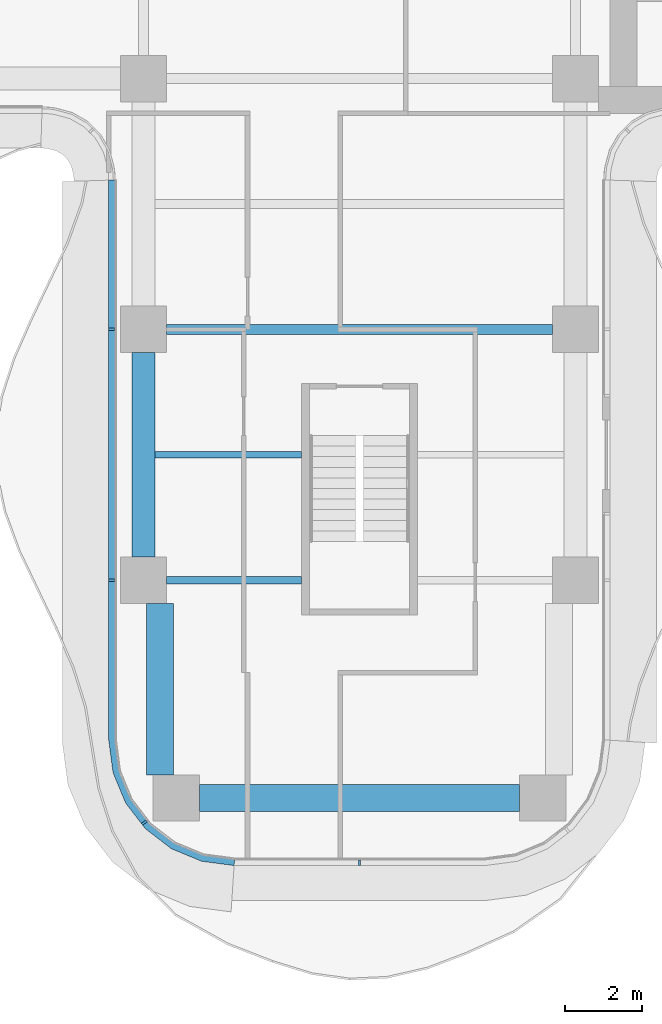
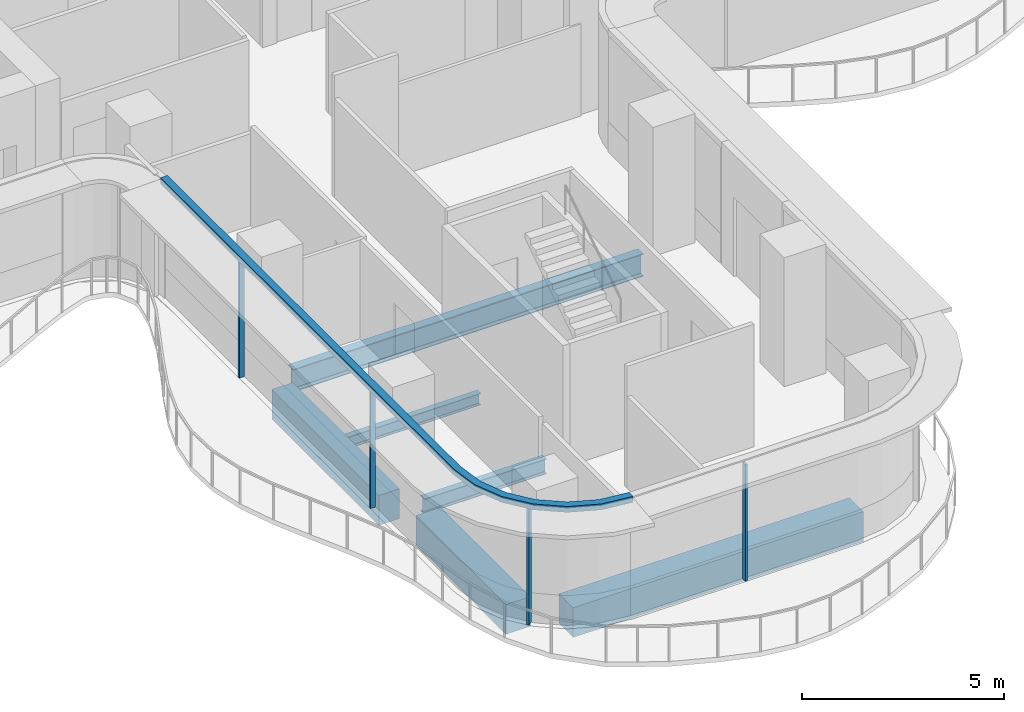
# One storey, part 2 of 17: 6 beams, 5 members, 2 elements without a shape of their own.
"""IFC4 building model written with IfcOpenShell, lengths in metres."""

import ifcopenshell
import ifcopenshell.guid

model = None  # the IFC model being written
_history = None  # IfcOwnerHistory: only IFC2X3 demands one
_inside = {}  # id of a spatial element -> (the spatial element, [elements in it])
_under = {}  # id of a project, library or spatial element -> (it, [spatial elements below it])
_declared = {}  # id of a project -> (the project, [libraries it declares])
_typed = {}  # id of a type object -> (the type object, [elements of that type])
_made_of = {}  # id of a material, layer set ... -> (it, [elements and type objects made of it])


def new_model(schema):
    """Start an empty IFC model of exactly this schema.

    Asked for "IFC4X3", IfcOpenShell would pick the latest addendum, in which some entities
    have other attributes; the version numbers below select the first issue.
    IFC2X3 requires an IfcOwnerHistory on every rooted entity: one is made here for all.
    """
    global model, _history
    if schema == "IFC4X3":
        model = ifcopenshell.file(schema_version=(4, 3, 0, 0))
    else:
        model = ifcopenshell.file(schema=schema)
    _inside.clear()
    _under.clear()
    _declared.clear()
    _typed.clear()
    _made_of.clear()
    _history = None
    if model.schema == "IFC2X3":
        org = make("IfcOrganization", Name="unknown")
        user = make(
            "IfcPersonAndOrganization",
            ThePerson=make("IfcPerson", FamilyName="unknown"),
            TheOrganization=org,
        )
        app = make(
            "IfcApplication",
            ApplicationDeveloper=org,
            Version="unknown",
            ApplicationFullName="unknown",
            ApplicationIdentifier="unknown",
        )
        _history = make(
            "IfcOwnerHistory",
            OwningUser=user,
            OwningApplication=app,
            ChangeAction="ADDED",
            CreationDate=0,
        )
    return model


def make(cls, **values):
    """One entity of the class cls with the attributes given. An attribute that is None is left unset."""
    return model.create_entity(
        cls, **{name: value for name, value in values.items() if value is not None}
    )


def rooted(cls, **values):
    """An entity with a GlobalId (a new one), such as an element, a storey or a relation."""
    return make(cls, GlobalId=ifcopenshell.guid.new(), OwnerHistory=_history, **values)


def si_unit(unit_type, name, prefix=None):
    """IfcSIUnit, for example si_unit("LENGTHUNIT", "METRE", prefix="MILLI")."""
    return make("IfcSIUnit", UnitType=unit_type, Prefix=prefix, Name=name)


def assignment(units):
    """IfcUnitAssignment: the units of a project."""
    return None if units is None else make("IfcUnitAssignment", Units=units)


def point(xyz):
    """IfcCartesianPoint."""
    return None if xyz is None else make("IfcCartesianPoint", Coordinates=xyz)


def direction(xyz):
    """IfcDirection."""
    return None if xyz is None else make("IfcDirection", DirectionRatios=xyz)


def frame(location, z_axis=None, x_axis=None):
    """IfcAxis2Placement3D, a coordinate frame: its origin and axes. An axis left out is left unset."""
    return make(
        "IfcAxis2Placement3D",
        Location=point(location),
        Axis=direction(z_axis),
        RefDirection=direction(x_axis),
    )


def frame_2d(location, x_axis=None):
    """IfcAxis2Placement2D, a coordinate frame in the plane: its origin and x axis."""
    return make(
        "IfcAxis2Placement2D", Location=point(location), RefDirection=direction(x_axis)
    )


def origin():
    """The frame at (0, 0, 0) with its axes left unset."""
    return frame((0.0, 0.0, 0.0))


def origin_2d():
    """The frame at (0, 0) in the plane with its x axis left unset."""
    return frame_2d((0.0, 0.0))


def place(relative_to, where):
    """IfcLocalPlacement: puts the frame where relative to a parent placement (None: the world)."""
    return make(
        "IfcLocalPlacement", PlacementRelTo=relative_to, RelativePlacement=where
    )


def context(
    kind, dimensions, precision=None, world=None, true_north=None, identifier=None
):
    """IfcGeometricRepresentationContext, for example the 3D "Model" context."""
    return make(
        "IfcGeometricRepresentationContext",
        ContextIdentifier=identifier,
        ContextType=kind,
        CoordinateSpaceDimension=dimensions,
        Precision=precision,
        WorldCoordinateSystem=world,
        TrueNorth=true_north,
    )


def subcontext(parent, identifier, kind, view, scale=None):
    """IfcGeometricRepresentationSubContext, for example "Body" below "Model"."""
    return make(
        "IfcGeometricRepresentationSubContext",
        ContextIdentifier=identifier,
        ContextType=kind,
        ParentContext=parent,
        TargetScale=scale,
        TargetView=view,
    )


def project(units=None, contexts=None):
    """IfcProject with its units and contexts."""
    return rooted(
        "IfcProject",
        Name="project",
        RepresentationContexts=contexts,
        UnitsInContext=assignment(units),
    )


def spatial(cls, under=None, at=None, **own):
    """A site, building, storey or space (cls), placed at a placement, below another one or the project."""
    s = rooted(cls, ObjectPlacement=at, **own)
    if under is not None:
        _under.setdefault(under.id(), (under, []))[1].append(s)
    return s


def polyline(points):
    """IfcPolyline through the points."""
    return make("IfcPolyline", Points=[point(p) for p in points])


def profile(cls, at=None, kind="AREA", **sizes):
    """A parametric profile (cls). Its sizes go by their IFC names, for example OverallWidth=200.0."""
    return make(cls, ProfileType=kind, Position=at, **sizes)


def rectangle(**sizes):
    """IfcRectangleProfileDef."""
    return profile("IfcRectangleProfileDef", **sizes)


def i_section(**sizes):
    """IfcIShapeProfileDef."""
    return profile("IfcIShapeProfileDef", **sizes)


def outline(outer, holes=None, kind="AREA"):
    """IfcArbitraryClosedProfileDef: a profile drawn as a closed curve; with holes, ...WithVoids."""
    if holes is None:
        return make("IfcArbitraryClosedProfileDef", ProfileType=kind, OuterCurve=outer)
    return make(
        "IfcArbitraryProfileDefWithVoids",
        ProfileType=kind,
        OuterCurve=outer,
        InnerCurves=holes,
    )


def extrude(swept, where, along, depth):
    """IfcExtrudedAreaSolid: the profile swept, set in the frame where, extruded along a direction by depth."""
    return make(
        "IfcExtrudedAreaSolid",
        SweptArea=swept,
        Position=where,
        ExtrudedDirection=direction(along),
        Depth=depth,
    )


def shape(context_of_items, identifier, shape_type, items):
    """IfcShapeRepresentation: the items that make up one representation, for example the "Body"."""
    return make(
        "IfcShapeRepresentation",
        ContextOfItems=context_of_items,
        RepresentationIdentifier=identifier,
        RepresentationType=shape_type,
        Items=items,
    )


def source(mapping_origin, context_of_items, identifier, shape_type, items):
    """IfcRepresentationMap: a shape defined once, which mapped items show again and again."""
    return make(
        "IfcRepresentationMap",
        MappingOrigin=mapping_origin,
        MappedRepresentation=shape(context_of_items, identifier, shape_type, items),
    )


def transform(
    local_origin,
    x_axis=None,
    y_axis=None,
    z_axis=None,
    scale=None,
    scale2=None,
    scale3=None,
    uniform=True,
):
    """IfcCartesianTransformationOperator3D, or its non-uniform kind. x_axis, y_axis, z_axis: its Axis1, 2, 3."""
    if uniform:
        return make(
            "IfcCartesianTransformationOperator3D",
            Axis1=direction(x_axis),
            Axis2=direction(y_axis),
            LocalOrigin=point(local_origin),
            Scale=scale,
            Axis3=direction(z_axis),
        )
    return make(
        "IfcCartesianTransformationOperator3DnonUniform",
        Axis1=direction(x_axis),
        Axis2=direction(y_axis),
        LocalOrigin=point(local_origin),
        Scale=scale,
        Axis3=direction(z_axis),
        Scale2=scale2,
        Scale3=scale3,
    )


def mapped(mapping_source, mapping_target):
    """IfcMappedItem: shows the shape of a source again, moved by a transform."""
    return make(
        "IfcMappedItem", MappingSource=mapping_source, MappingTarget=mapping_target
    )


def material(Name=None, Category=None):
    """IfcMaterial."""
    return make("IfcMaterial", Name=Name, Category=Category)


def layer(
    of_material, thickness, ventilated=None, Name=None, Category=None, Priority=None
):
    """IfcMaterialLayer: one layer of a wall or slab, of a material (None: an air gap)."""
    return make(
        "IfcMaterialLayer",
        Material=of_material,
        LayerThickness=thickness,
        IsVentilated=ventilated,
        Name=Name,
        Category=Category,
        Priority=Priority,
    )


def layer_set(layers, Name=None):
    """IfcMaterialLayerSet."""
    return make("IfcMaterialLayerSet", MaterialLayers=layers, LayerSetName=Name)


def material_profile(
    of_material, cross_section, Name=None, Category=None, Priority=None
):
    """IfcMaterialProfile: a cross section and its material."""
    return make(
        "IfcMaterialProfile",
        Name=Name,
        Material=of_material,
        Profile=cross_section,
        Priority=Priority,
        Category=Category,
    )


def profile_set(profiles, Name=None, composite=None):
    """IfcMaterialProfileSet."""
    return make(
        "IfcMaterialProfileSet",
        Name=Name,
        MaterialProfiles=profiles,
        CompositeProfile=composite,
    )


def made_of(thing, what):
    """Note that an element or type object is made of a material, layer set ...; save() writes the relation."""
    if what is not None:
        _made_of.setdefault(what.id(), (what, []))[1].append(thing)
    return thing


def type_object(cls, material=None, **own):
    """A type object (cls), such as IfcWallType, which elements share."""
    return made_of(rooted(cls, **own), material)


def element(
    cls,
    number,
    at=None,
    inside=None,
    cuts=None,
    type_object=None,
    material=None,
    context=None,
    identifier="Body",
    shape_type=None,
    held_by="IfcProductDefinitionShape",
    body=None,
    shapes=None,
    **own,
):
    """One element of the class cls, such as IfcWall. Its Tag is "e" and its number.

    at: its placement. inside: the storey or other place that contains it. cuts: it is an
    opening in that element (IfcRelVoidsElement). A single representation is given by context,
    identifier, shape_type and body (its items); several are given by shapes. held_by: the class
    of the entity that holds the representations. save() writes the other relations.
    """
    e = rooted(cls, Tag="e%d" % number, ObjectPlacement=at, **own)
    if body is not None:
        shapes = [shape(context, identifier, shape_type, body)]
    if shapes is not None:
        e.Representation = make(held_by, Representations=shapes)
    if inside is not None:
        _inside.setdefault(inside.id(), (inside, []))[1].append(e)
    if cuts is not None:
        rooted(
            "IfcRelVoidsElement", RelatingBuildingElement=cuts, RelatedOpeningElement=e
        )
    if type_object is not None:
        _typed.setdefault(type_object.id(), (type_object, []))[1].append(e)
    return made_of(e, material)


def aggregate(whole, parts):
    """IfcRelAggregates: a whole, such as a stair, and the parts it consists of."""
    return rooted("IfcRelAggregates", RelatingObject=whole, RelatedObjects=parts)


def save(model, path):
    """Write the relations noted so far, then the file.

    IfcRelAggregates (storeys below a building ...), IfcRelContainedInSpatialStructure (elements
    in a storey), IfcRelDefinesByType, IfcRelAssociatesMaterial and IfcRelDeclares: one each for
    every whole, place, type object, material and project.
    """
    for whole, parts in _under.values():
        aggregate(whole, parts)
    for where, things in _inside.values():
        rooted(
            "IfcRelContainedInSpatialStructure",
            RelatedElements=things,
            RelatingStructure=where,
        )
    for kind, things in _typed.values():
        rooted("IfcRelDefinesByType", RelatedObjects=things, RelatingType=kind)
    for what, things in _made_of.values():
        rooted("IfcRelAssociatesMaterial", RelatedObjects=things, RelatingMaterial=what)
    for by, libraries in _declared.values():
        rooted("IfcRelDeclares", RelatingContext=by, RelatedDefinitions=libraries)
    model.write(path)


model = new_model("IFC4")

# Units and contexts
model_context = context("Model", 3, precision=1e-05, world=origin(), true_north=direction((0.0, 1.0)))
body_context = subcontext(model_context, "Body", "Model", "MODEL_VIEW")
ifc_project = project(units=[si_unit("LENGTHUNIT", "METRE"), si_unit("AREAUNIT", "SQUARE_METRE"), si_unit("VOLUMEUNIT", "CUBIC_METRE"), si_unit("PLANEANGLEUNIT", "RADIAN"), si_unit("MASSUNIT", "GRAM", prefix="KILO")], contexts=[model_context])

# Site, building, storey
site_placement = place(None, origin())
site = spatial("IfcSite", under=ifc_project, at=site_placement, CompositionType="ELEMENT")
building_placement = place(site_placement, origin())
building = spatial("IfcBuilding", under=site, at=building_placement, Name="Trellis Farm Tower", CompositionType="ELEMENT")
storey_placement = place(building_placement, frame((0.0, 0.0, 162.0)))
storey = spatial("IfcBuildingStorey", under=building, at=storey_placement, Name="L34", CompositionType="ELEMENT", Elevation=162.0)

# Beams
ifc_material_1 = material(Name="Steel S355", Category="steel")
ifc_material_profile_1 = material_profile(ifc_material_1, i_section(OverallWidth=0.1904296875, OverallDepth=0.45703125, WebThickness=0.009033203125, FlangeThickness=0.014404296875, FilletRadius=0.01025390625, at=origin_2d()), Name="UB 457x191x74")
ifc_profile_set_1 = profile_set([ifc_material_profile_1], Name="Steel S355")
beam_type_1 = type_object("IfcBeamType", Name="UB 457x191x74", PredefinedType="BEAM", material=ifc_profile_set_1)
shared_shape_1 = source(origin(), body_context, "Body", "SweptSolid", [
    extrude(i_section(OverallWidth=0.1904296875, OverallDepth=0.45703125, WebThickness=0.009033203125, FlangeThickness=0.014404296875, FilletRadius=0.01025390625, at=origin_2d()), origin(), (0.0, 0.0, 1.0), 3.5),
])
beam_1_placement = place(storey_placement, frame((-5.0, -18.60009765625, -0.428466796875), z_axis=(1.0, 0.0, 0.0), x_axis=(0.0, 1.0, 0.0)))
element("IfcBeam", 1, at=beam_1_placement, inside=storey, type_object=beam_type_1, Name="Girder", PredefinedType="BEAM", context=body_context, shape_type="MappedRepresentation", body=[
    mapped(shared_shape_1, transform((0.0, 0.0, 0.0))),
])
ifc_material_2 = material(Name="Concrete C60/75", Category="concrete")
ifc_material_profile_2 = material_profile(ifc_material_2, rectangle(XDim=0.60009765625, YDim=0.89990234375, at=origin_2d()), Name="RC spandrel beam 600x900 C60/75")
ifc_profile_set_2 = profile_set([ifc_material_profile_2], Name="Concrete C60/75")
beam_type_2 = type_object("IfcBeamType", Name="RC spandrel beam 600x900 C60/75", PredefinedType="SPANDREL", material=ifc_profile_set_2)
shared_shape_2 = source(origin(), body_context, "Body", "SweptSolid", [
    extrude(rectangle(XDim=0.60009765625, YDim=0.89990234375, at=origin_2d()), origin(), (0.0, 0.0, 1.0), 5.300048828125),
])
beam_2_placement = place(storey_placement, frame((-5.60009765625, -18.0, -0.64990234375), z_axis=(0.0, 1.0, 0.0), x_axis=(-1.0, 0.0, 0.0)))
element("IfcBeam", 2, at=beam_2_placement, inside=storey, type_object=beam_type_2, Name="Girder", PredefinedType="SPANDREL", context=body_context, shape_type="MappedRepresentation", body=[
    mapped(shared_shape_2, transform((0.0, 0.0, 0.0))),
])
ifc_material_profile_3 = material_profile(ifc_material_1, i_section(OverallWidth=0.253662109375, OverallDepth=0.68359375, WebThickness=0.012451171875, FlangeThickness=0.021728515625, FilletRadius=0.01513671875, at=origin_2d()), Name="UB 686x254x140")
ifc_profile_set_3 = profile_set([ifc_material_profile_3], Name="Steel S355")
beam_type_3 = type_object("IfcBeamType", Name="UB 686x254x140", PredefinedType="BEAM", material=ifc_profile_set_3)
shared_shape_3 = source(origin(), body_context, "Body", "SweptSolid", [
    extrude(i_section(OverallWidth=0.253662109375, OverallDepth=0.68359375, WebThickness=0.012451171875, FlangeThickness=0.021728515625, FilletRadius=0.01513671875, at=origin_2d()), origin(), (0.0, 0.0, 1.0), 10.0),
])
beam_3_placement = place(storey_placement, frame((-5.0, -12.10009765625, -0.541748046875), z_axis=(1.0, 0.0, 0.0), x_axis=(0.0, 1.0, 0.0)))
element("IfcBeam", 3, at=beam_3_placement, inside=storey, type_object=beam_type_3, Name="Girder", PredefinedType="BEAM", context=body_context, shape_type="MappedRepresentation", body=[
    mapped(shared_shape_3, transform((0.0, 0.0, 0.0))),
])
ifc_material_profile_4 = material_profile(ifc_material_2, rectangle(XDim=0.699951171875, YDim=0.89990234375, at=origin_2d()), Name="RC spandrel beam 700x900 C60/75")
ifc_profile_set_4 = profile_set([ifc_material_profile_4], Name="Concrete C60/75")
beam_type_4 = type_object("IfcBeamType", Name="RC spandrel beam 700x900 C60/75", PredefinedType="SPANDREL", material=ifc_profile_set_4)
shared_shape_4 = source(origin(), body_context, "Body", "SweptSolid", [
    extrude(rectangle(XDim=0.699951171875, YDim=0.89990234375, at=origin_2d()), origin(), (0.0, 0.0, 1.0), 8.2998046875),
])
beam_4_placement = place(storey_placement, frame((-4.14990234375, -24.25, -0.64990234375), z_axis=(1.0, 0.0, 0.0), x_axis=(0.0, 1.0, 0.0)))
element("IfcBeam", 4, at=beam_4_placement, inside=storey, type_object=beam_type_4, Name="Girder", PredefinedType="SPANDREL", context=body_context, shape_type="MappedRepresentation", body=[
    mapped(shared_shape_4, transform((0.0, 0.0, 0.0))),
])
shared_shape_5 = source(origin(), body_context, "Body", "SweptSolid", [
    extrude(rectangle(XDim=0.699951171875, YDim=0.89990234375, at=origin_2d()), origin(), (0.0, 0.0, 1.0), 4.449951171875),
])
beam_5_placement = place(storey_placement, frame((-5.175048828125, -23.64990234375, -0.64990234375), z_axis=(0.0, 1.0, 0.0), x_axis=(-1.0, 0.0, 0.0)))
element("IfcBeam", 5, at=beam_5_placement, inside=storey, type_object=beam_type_4, Name="Girder", PredefinedType="SPANDREL", context=body_context, shape_type="MappedRepresentation", body=[
    mapped(shared_shape_5, transform((0.0, 0.0, 0.0))),
])
ifc_material_profile_5 = material_profile(ifc_material_1, i_section(OverallWidth=0.17138671875, OverallDepth=0.35498046875, WebThickness=0.00732421875, FlangeThickness=0.011474609375, FilletRadius=0.01025390625, at=origin_2d()), Name="UB 356x171x51")
ifc_profile_set_5 = profile_set([ifc_material_profile_5], Name="Steel S355")
beam_type_5 = type_object("IfcBeamType", Name="UB 356x171x51 joist", PredefinedType="JOIST", material=ifc_profile_set_5)
shared_shape_6 = source(origin(), body_context, "Body", "SweptSolid", [
    extrude(i_section(OverallWidth=0.17138671875, OverallDepth=0.35498046875, WebThickness=0.00732421875, FlangeThickness=0.011474609375, FilletRadius=0.01025390625, at=origin_2d()), origin(), (0.0, 0.0, 1.0), 3.800048828125),
])
beam_6_placement = place(storey_placement, frame((-5.300048828125, -15.35009765625, -0.37744140625), z_axis=(1.0, 0.0, 0.0), x_axis=(0.0, 1.0, 0.0)))
element("IfcBeam", 6, at=beam_6_placement, inside=storey, type_object=beam_type_5, Name="Floor beam", PredefinedType="JOIST", context=body_context, shape_type="MappedRepresentation", body=[
    mapped(shared_shape_6, transform((0.0, 0.0, 0.0))),
])

# Curtain wall, members
ifc_material_3 = material(Name="Aluminium and glass curtain wall", Category="aluminium")
ifc_layer_1 = layer(ifc_material_3, 0.18994140625)
ifc_layer_set_1 = layer_set([ifc_layer_1], Name="RIBBON CURTAIN WALL CW1")
curtain_wall_type = type_object("IfcCurtainWallType", Name="RIBBON CURTAIN WALL CW1", PredefinedType="NOTDEFINED", material=ifc_layer_set_1)
placement = place(storey_placement, origin())
curtain_wall_1 = element("IfcCurtainWall", 7, at=placement, inside=storey, type_object=curtain_wall_type, Name="CW1 002", PredefinedType="NOTDEFINED")
ifc_material_4 = material(Name="Aluminium extrusion 6063-T6", Category="aluminium")
ifc_layer_2 = layer(ifc_material_4, 0.199951171875)
ifc_layer_set_2 = layer_set([ifc_layer_2], Name="Aluminium extrusion 6063-T6")
member_type_1 = type_object("IfcMemberType", Name="CW1 TRANSOM 200x180", PredefinedType="USERDEFINED", material=ifc_layer_set_2)
shared_shape_7 = source(origin(), body_context, "Body", "SweptSolid", [
    extrude(outline(polyline([(-6.5, -8.2314453125), (-6.5, -22.75), (-6.38916015625, -23.591064453125), (-6.064697265625, -24.375), (-5.548095703125, -25.048095703125), (-4.875, -25.564697265625), (-4.091064453125, -25.88916015625), (-3.25, -26.0), (-3.23681640625, -25.800048828125), (-4.0390625, -25.6943359375), (-4.774169921875, -25.389892578125), (-5.405517578125, -24.905517578125), (-5.889892578125, -24.274169921875), (-6.1943359375, -23.5390625), (-6.300048828125, -22.73681640625), (-6.300048828125, -8.224853515625), (-6.5, -8.2314453125)])), origin(), (0.0, 0.0, 1.0), 0.179931640625),
])
member_1_placement = place(storey_placement, frame((0.0, 0.0, 3.52001953125)))
member_1 = element("IfcMember", 8, at=member_1_placement, type_object=member_type_1, Name="TR1 002", ObjectType="TRANSOM", PredefinedType="USERDEFINED", context=body_context, shape_type="MappedRepresentation", body=[
    mapped(shared_shape_7, transform((0.0, 0.0, 0.0))),
])
ifc_material_profile_6 = material_profile(ifc_material_4, rectangle(XDim=0.06005859375, YDim=0.14990234375, at=origin_2d()), Name="MULLION 60x150")
ifc_profile_set_6 = profile_set([ifc_material_profile_6], Name="Aluminium extrusion 6063-T6")
member_type_2 = type_object("IfcMemberType", Name="CW1 MULLION 60x150", PredefinedType="MULLION", material=ifc_profile_set_6)
shared_shape_8 = source(origin(), body_context, "Body", "SweptSolid", [
    extrude(rectangle(XDim=0.06005859375, YDim=0.14990234375, at=origin_2d()), origin(), (0.0, 0.0, 1.0), 3.52001953125),
])
member_2_placement = place(storey_placement, frame((-6.425048828125, -12.10009765625, 0.0), z_axis=(0.0, 0.0, 1.0), x_axis=(0.0, -1.0, 0.0)))
member_2 = element("IfcMember", 9, at=member_2_placement, type_object=member_type_2, Name="MU1 002-01", PredefinedType="MULLION", context=body_context, shape_type="MappedRepresentation", body=[
    mapped(shared_shape_8, transform((0.0, 0.0, 0.0))),
])
member_3_placement = place(storey_placement, frame((-6.425048828125, -18.60009765625, 0.0), z_axis=(0.0, 0.0, 1.0), x_axis=(0.0, -1.0, 0.0)))
member_3 = element("IfcMember", 10, at=member_3_placement, type_object=member_type_2, Name="MU1 002-02", PredefinedType="MULLION", context=body_context, shape_type="MappedRepresentation", body=[
    mapped(shared_shape_8, transform((0.0, 0.0, 0.0))),
])
member_4_placement = place(storey_placement, frame((-5.578369140625, -24.885498046875, 0.0), z_axis=(0.0, 0.0, 1.0), x_axis=(0.608761429009, -0.793353340291, 0.0)))
member_4 = element("IfcMember", 11, at=member_4_placement, type_object=member_type_2, Name="MU1 002-03", PredefinedType="MULLION", context=body_context, shape_type="MappedRepresentation", body=[
    mapped(shared_shape_8, transform((0.0, 0.0, 0.0))),
])
aggregate(curtain_wall_1, [member_2, member_3, member_4, member_1])

# Curtain wall, member
curtain_wall_2 = element("IfcCurtainWall", 12, at=placement, inside=storey, type_object=curtain_wall_type, Name="CW1 003", PredefinedType="NOTDEFINED")
member_5_placement = place(storey_placement, frame((0.0, -25.925048828125, 0.0), z_axis=(0.0, 0.0, 1.0), x_axis=(1.0, 0.0, 0.0)))
member_5 = element("IfcMember", 13, at=member_5_placement, type_object=member_type_2, Name="MU1 003-01", PredefinedType="MULLION", context=body_context, shape_type="MappedRepresentation", body=[
    mapped(shared_shape_8, transform((0.0, 0.0, 0.0))),
])
aggregate(curtain_wall_2, [member_5])

save(model, "model.ifc")
